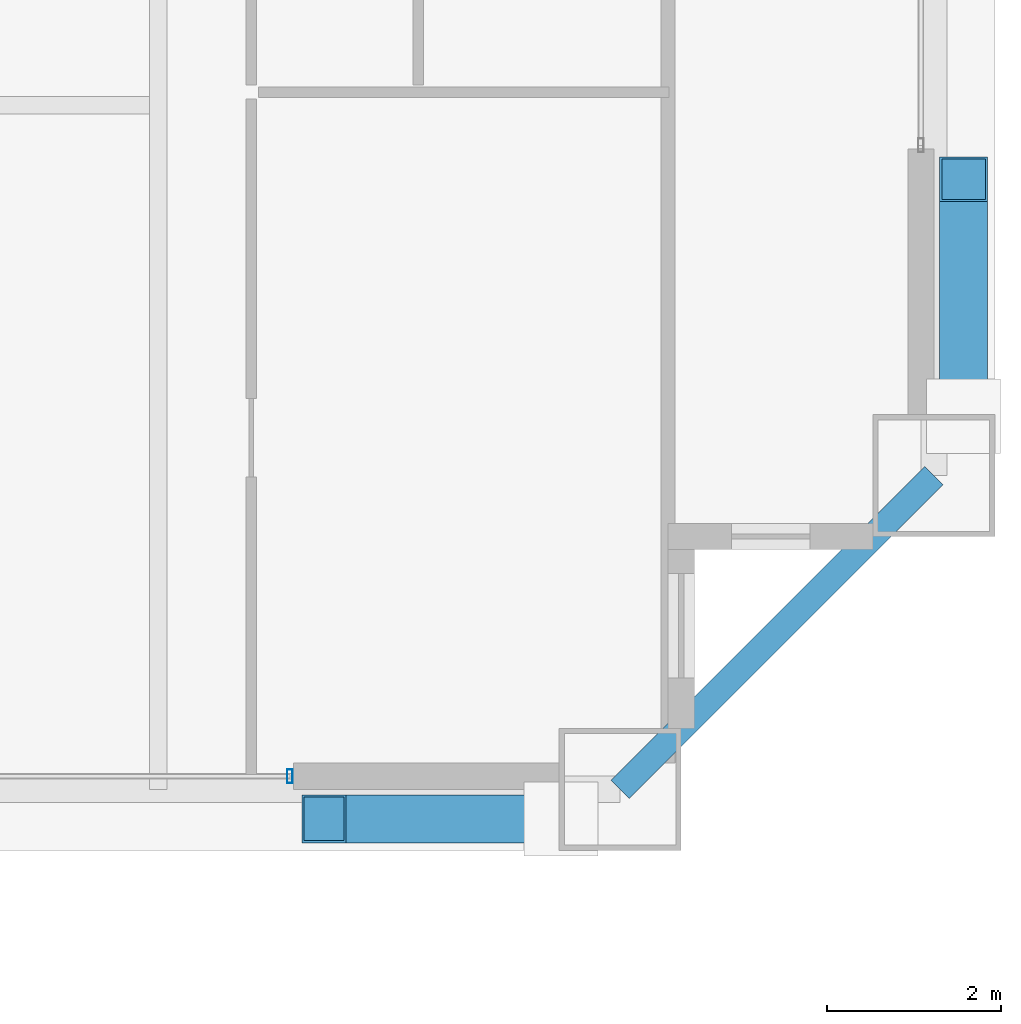
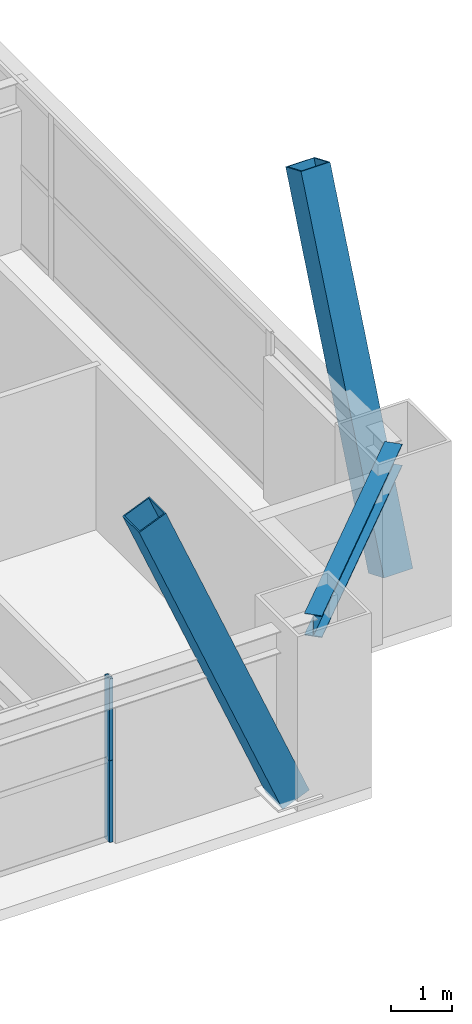
# One storey, part 15 of 42: 4 members, 1 beam, 1 element without a shape of its own.
"""IFC4 building model written with IfcOpenShell, lengths in metres."""

from ifc_helpers import new_model, si_unit, direction, frame, origin, origin_2d, place, context, subcontext, project, spatial, hollow_rectangle, i_section, extrude, source, transform, mapped, material, layer, layer_set, material_profile, profile_set, type_object, element, aggregate, save


model = new_model("IFC4")

# Units and contexts
model_context = context("Model", 3, precision=1e-05, world=origin(), true_north=direction((0.0, 1.0)))
body_context = subcontext(model_context, "Body", "Model", "MODEL_VIEW")
ifc_project = project(units=[si_unit("LENGTHUNIT", "METRE"), si_unit("AREAUNIT", "SQUARE_METRE"), si_unit("VOLUMEUNIT", "CUBIC_METRE"), si_unit("PLANEANGLEUNIT", "RADIAN"), si_unit("MASSUNIT", "GRAM", prefix="KILO"), si_unit("THERMODYNAMICTEMPERATUREUNIT", "KELVIN"), si_unit("POWERUNIT", "WATT")], contexts=[model_context])

# Site, building, storey
site_placement = place(None, origin())
site = spatial("IfcSite", under=ifc_project, at=site_placement, CompositionType="ELEMENT")
building_placement = place(site_placement, origin())
building = spatial("IfcBuilding", under=site, at=building_placement, Name="Yuzanri Waterfront Tower", CompositionType="ELEMENT")
storey_placement = place(building_placement, frame((0.0, 0.0, 205.5)))
storey = spatial("IfcBuildingStorey", under=building, at=storey_placement, Name="L54", CompositionType="ELEMENT", Elevation=205.5)

# Beam
ifc_material_1 = material(Name="Steel Q355B", Category="steel")
ifc_material_profile_1 = material_profile(ifc_material_1, i_section(OverallWidth=0.300048828125, OverallDepth=0.43994140625, WebThickness=0.010986328125, FlangeThickness=0.01806640625, at=origin_2d()), Name="HM 440x300x11x18")
ifc_profile_set_1 = profile_set([ifc_material_profile_1], Name="Steel Q355B")
beam_type = type_object("IfcBeamType", Name="Perimeter Spandrel Q355B HM 440x300", PredefinedType="SPANDREL", material=ifc_profile_set_1)
shared_shape_1 = source(origin(), body_context, "Body", "SweptSolid", [
    extrude(i_section(OverallWidth=0.300048828125, OverallDepth=0.43994140625, WebThickness=0.010986328125, FlangeThickness=0.01806640625, at=origin_2d()), origin(), (0.0, 0.0, 1.0), 5.09130859375),
])
beam_placement = place(storey_placement, frame((55.5, 3.699951171875, 3.06005859375), z_axis=(0.707106781187, 0.707106781187, 0.0), x_axis=(-0.707106781187, 0.707106781187, 0.0)))
element("IfcBeam", 1, at=beam_placement, inside=storey, type_object=beam_type, Name="L54 Perimeter Spandrel S3-E1", PredefinedType="SPANDREL", context=body_context, shape_type="MappedRepresentation", body=[
    mapped(shared_shape_1, transform((0.0, 0.0, 0.0), scale=1.0)),
])

# Members
ifc_material_2 = material(Name="Steel Q390GJC", Category="steel")
ifc_material_profile_2 = material_profile(ifc_material_2, hollow_rectangle(XDim=0.550048828125, YDim=0.550048828125, WallThickness=0.02490234375, at=origin_2d()), Name="RHS 550x550x25")
ifc_profile_set_2 = profile_set([ifc_material_profile_2], Name="Steel Q390GJC")
member_type_1 = type_object("IfcMemberType", Name="Mega Brace Mid Q390GJC RHS 550x550x25", PredefinedType="BRACE", material=ifc_profile_set_2)
shared_shape_2 = source(origin(), body_context, "Body", "SweptSolid", [
    extrude(hollow_rectangle(XDim=0.550048828125, YDim=0.550048828125, WallThickness=0.02490234375, at=origin_2d()), origin(), (0.0, 0.0, 1.0), 7.046142578125),
])
for number, where, z_axis, x_axis, name in (
    (2, (54.820068359375, 3.360107421875, 0.179931640625), (-0.386022211732, 0.0, 0.922489486146), (0.0, -1.0, 0.0), "L54-L55 Perimeter Mega-Brace S-R"),
    (3, (59.43994140625, 7.97998046875, 0.179931640625), (0.0, 0.386022211732, 0.922489486146), (-1.0, 0.0, 0.0), "L54-L55 Perimeter Mega-Brace E-L"),
):
    element("IfcMember", number, at=place(storey_placement, frame(where, z_axis=z_axis, x_axis=x_axis)), inside=storey, type_object=member_type_1, Name=name, PredefinedType="BRACE", context=body_context, shape_type="MappedRepresentation", body=[
        mapped(shared_shape_2, transform((0.0, 0.0, 0.0), scale=1.0)),
    ])

# Curtain wall, members
ifc_material_3 = material(Name="Anodized Architectural Bronze", Category="metal")
ifc_layer = layer(ifc_material_3, 0.159912109375)
ifc_layer_set = layer_set([ifc_layer], Name="Anodized Architectural Bronze")
curtain_wall_type = type_object("IfcCurtainWallType", Name="Anodized Bronze Mid-Rise Residential Acoustic Unitized Curtain Wall 7200", PredefinedType="NOTDEFINED", material=ifc_layer_set)
curtain_wall_placement = place(storey_placement, origin())
curtain_wall = element("IfcCurtainWall", 4, at=curtain_wall_placement, inside=storey, type_object=curtain_wall_type, Name="L54 Curtain Wall CW-L54-SR", PredefinedType="NOTDEFINED")
ifc_material_4 = material(Name="Anodized Architectural Bronze", Category="metal")
ifc_material_profile_3 = material_profile(ifc_material_4, hollow_rectangle(XDim=0.06494140625, YDim=0.159912109375, WallThickness=0.00341796875, at=origin_2d()), Name="CWM 65x160")
ifc_profile_set_3 = profile_set([ifc_material_profile_3], Name="Anodized Architectural Bronze")
member_type_2 = type_object("IfcMemberType", Name="Anodized Bronze Upper-Zone Curtain-Wall Mullion 65x160", PredefinedType="MULLION", material=ifc_profile_set_3)
shared_shape_3 = source(origin(), body_context, "Body", "SweptSolid", [
    extrude(hollow_rectangle(XDim=0.06494140625, YDim=0.159912109375, WallThickness=0.00341796875, at=origin_2d()), origin(), (0.0, 0.0, 1.0), 1.637939453125),
])
member_1_placement = place(storey_placement, frame((51.7099609375, 3.85009765625, 0.0), z_axis=(0.0, 0.0, 1.0), x_axis=(1.0, 0.0, 0.0)))
member_1 = element("IfcMember", 5, at=member_1_placement, type_object=member_type_2, Name="CW-L54-SR Lower Mullion 02", PredefinedType="MULLION", context=body_context, shape_type="MappedRepresentation", body=[
    mapped(shared_shape_3, transform((0.0, 0.0, 0.0), scale=1.0)),
])
member_2_placement = place(storey_placement, frame((51.7099609375, 3.85009765625, 1.64208984375), z_axis=(0.0, 0.0, 1.0), x_axis=(1.0, 0.0, 0.0)))
member_2 = element("IfcMember", 6, at=member_2_placement, type_object=member_type_2, Name="CW-L54-SR Upper Mullion 02", PredefinedType="MULLION", context=body_context, shape_type="MappedRepresentation", body=[
    mapped(shared_shape_3, transform((0.0, 0.0, 0.0), scale=1.0)),
])
aggregate(curtain_wall, [member_1, member_2])

save(model, "model.ifc")
